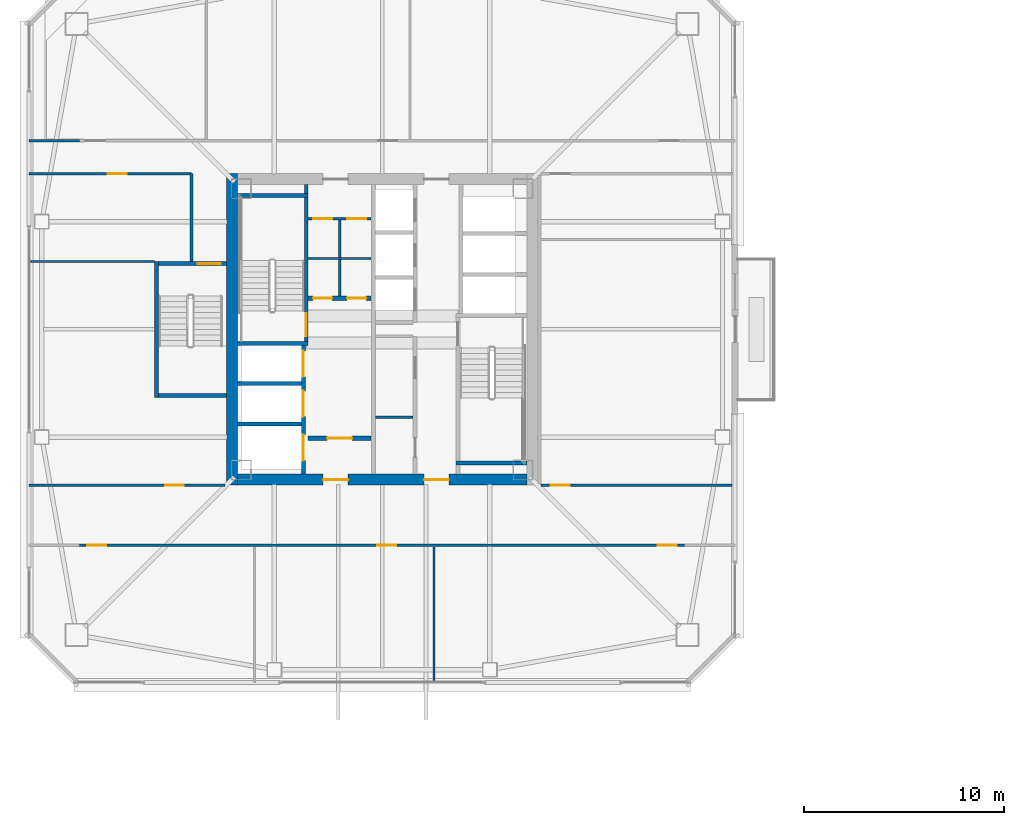
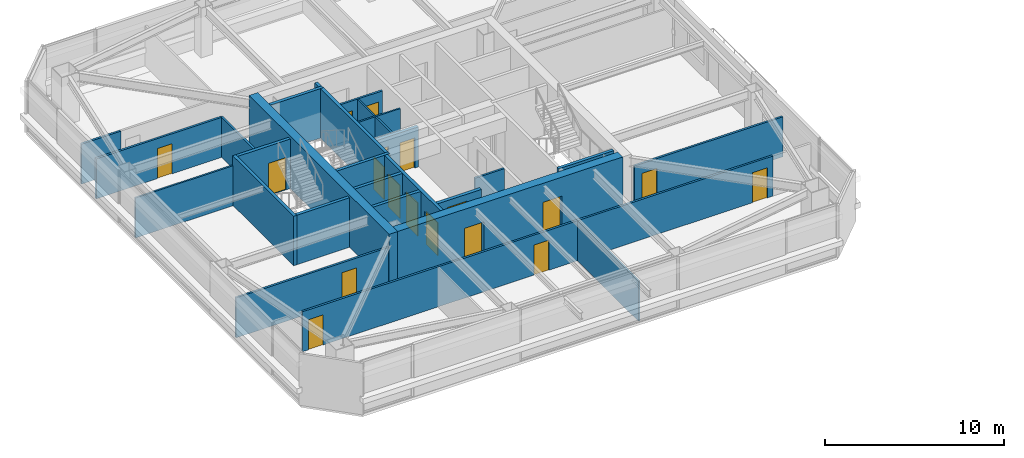
# One storey, part 31 of 41: 26 walls, 18 doors, 18 openings.
"""IFC4 building model written with IfcOpenShell, lengths in metres."""

from ifc_helpers import new_model, si_unit, direction, frame, frame_2d, origin, place, context, subcontext, project, spatial, rectangle, extrude, material, layer, layer_set, type_object, element, fill, save


model = new_model("IFC4")

# Units and contexts
model_context = context("Model", 3, precision=1e-05, world=origin(), true_north=direction((0.0, 1.0)))
body_context = subcontext(model_context, "Body", "Model", "MODEL_VIEW")
ifc_project = project(units=[si_unit("LENGTHUNIT", "METRE"), si_unit("AREAUNIT", "SQUARE_METRE"), si_unit("VOLUMEUNIT", "CUBIC_METRE"), si_unit("PLANEANGLEUNIT", "RADIAN"), si_unit("MASSUNIT", "GRAM", prefix="KILO")], contexts=[model_context])

# Site, building, storey
site_placement = place(None, origin())
site = spatial("IfcSite", under=ifc_project, at=site_placement, CompositionType="ELEMENT")
building_placement = place(site_placement, origin())
building = spatial("IfcBuilding", under=site, at=building_placement, Name="Tashvorn Skyway Center", CompositionType="ELEMENT")
storey_placement = place(building_placement, frame((0.0, 0.0, 174.75)))
storey = spatial("IfcBuildingStorey", under=building, at=storey_placement, Name="L47", CompositionType="ELEMENT", Elevation=174.75)

# Wall
ifc_material_1 = material(Name="Concrete C60/75", Category="concrete")
ifc_layer_1 = layer(ifc_material_1, 0.550048828125)
ifc_layer_set_1 = layer_set([ifc_layer_1], Name="Concrete C60/75")
wall_type_1 = type_object("IfcWallType", Name="WALL-CORE-550", PredefinedType="SHEAR", material=ifc_layer_set_1)
wall_1_placement = place(storey_placement, frame((34.47509765625, 24.199951171875, 0.0), z_axis=(0.0, 0.0, 1.0), x_axis=(0.0, 1.0, 0.0)))
element("IfcWall", 1, at=wall_1_placement, inside=storey, type_object=wall_type_1, Name="Tower 1 L47 West Core Shear Wall", PredefinedType="SHEAR", context=body_context, shape_type="SweptSolid", body=[
    extrude(rectangle(XDim=15.60009765625, YDim=0.550048828125, at=frame_2d((7.800048828125, 0.0))), origin(), (0.0, 0.0, 1.0), 3.550048828125),
])

# Wall, openings, doors
wall_2_placement = place(storey_placement, frame((49.25, 24.47509765625, 0.0), z_axis=(0.0, 0.0, 1.0), x_axis=(-1.0, 0.0, 0.0)))
wall_2 = element("IfcWall", 2, at=wall_2_placement, inside=storey, type_object=wall_type_1, Name="Tower 1 L47 South Core Shear Wall", PredefinedType="SHEAR", context=body_context, shape_type="SweptSolid", body=[
    extrude(rectangle(XDim=14.5, YDim=0.550048828125, at=frame_2d((7.25, 0.0))), origin(), (0.0, 0.0, 1.0), 3.550048828125),
])
opening_1_placement = place(wall_2_placement, frame((8.949951171875, 0.0, 0.0)))
opening_1 = element("IfcOpeningElement", 3, at=opening_1_placement, cuts=wall_2, Name="Opening D-FFL-1250", PredefinedType="OPENING", context=body_context, shape_type="SweptSolid", body=[
    extrude(rectangle(XDim=1.25, YDim=2.25, at=frame_2d((0.625, 1.125))), frame((0.0, 0.284912109375, 0.0), z_axis=(0.0, -1.0, 0.0), x_axis=(1.0, 0.0, 0.0)), (0.0, 0.0, 1.0), 0.570068359375),
])
opening_2_placement = place(wall_2_placement, frame((3.89990234375, 0.0, 0.0)))
opening_2 = element("IfcOpeningElement", 4, at=opening_2_placement, cuts=wall_2, Name="Opening D-FFL-1250", PredefinedType="OPENING", context=body_context, shape_type="SweptSolid", body=[
    extrude(rectangle(XDim=1.25, YDim=2.25, at=frame_2d((0.625, 1.125))), frame((0.0, 0.284912109375, 0.0), z_axis=(0.0, -1.0, 0.0), x_axis=(1.0, 0.0, 0.0)), (0.0, 0.0, 1.0), 0.570068359375),
])
ifc_material_2 = material(Name="Hollow galvanized steel fire door assembly", Category="steel")
door_type_1 = type_object("IfcDoorType", Name="DOOR-FFL-1250", OperationType="NOTDEFINED", PredefinedType="DOOR", material=ifc_material_2)
door_1_placement = place(opening_1_placement, origin())
door_1 = element("IfcDoor", 5, at=door_1_placement, inside=storey, type_object=door_type_1, Name="Tower 1 L47 Core South Firefighting Exit Door", OperationType="SINGLE_SWING_LEFT", OverallHeight=2.25, OverallWidth=1.25, PredefinedType="DOOR", context=body_context, shape_type="SweptSolid", body=[
    extrude(rectangle(XDim=1.25, YDim=2.25, at=frame_2d((0.625, 1.125))), frame((0.0, 0.02490234375, 0.0), z_axis=(0.0, -1.0, 0.0), x_axis=(1.0, 0.0, 0.0)), (0.0, 0.0, 1.0), 0.050048828125),
])
fill(opening_1, door_1)
door_2_placement = place(opening_2_placement, origin())
door_2 = element("IfcDoor", 6, at=door_2_placement, inside=storey, type_object=door_type_1, Name="Tower 1 L47 Core South Lift Lobby Door", OperationType="SINGLE_SWING_RIGHT", OverallHeight=2.25, OverallWidth=1.25, PredefinedType="DOOR", context=body_context, shape_type="SweptSolid", body=[
    extrude(rectangle(XDim=1.25, YDim=2.25, at=frame_2d((0.625, 1.125))), frame((0.0, 0.02490234375, 0.0), z_axis=(0.0, -1.0, 0.0), x_axis=(1.0, 0.0, 0.0)), (0.0, 0.0, 1.0), 0.050048828125),
])
fill(opening_2, door_2)

ifc_material_3 = material(Name="Concrete C40/50", Category="concrete")
ifc_layer_2 = layer(ifc_material_3, 0.219970703125)
ifc_layer_set_2 = layer_set([ifc_layer_2], Name="Concrete C40/50")
wall_type_2 = type_object("IfcWallType", Name="WALL-FFL-220", PredefinedType="SOLIDWALL", material=ifc_layer_set_2)
wall_3_placement = place(storey_placement, frame((38.300048828125, 33.56005859375, 0.0), z_axis=(0.0, 0.0, 1.0), x_axis=(1.0, 0.0, 0.0)))
wall_3 = element("IfcWall", 7, at=wall_3_placement, inside=storey, type_object=wall_type_2, Name="Tower 1 L47 Firefighting Lobby North Wall", PredefinedType="SOLIDWALL", context=body_context, shape_type="SweptSolid", body=[
    extrude(rectangle(XDim=3.14990234375, YDim=0.219970703125, at=frame_2d((1.574951171875, 0.0))), origin(), (0.0, 0.0, 1.0), 2.722900390625),
])
opening_3_placement = place(wall_3_placement, frame((0.25, 0.0, 0.0)))
opening_3 = element("IfcOpeningElement", 8, at=opening_3_placement, cuts=wall_3, Name="Opening D-RT-950", PredefinedType="OPENING", context=body_context, shape_type="SweptSolid", body=[
    extrude(rectangle(XDim=0.949951171875, YDim=2.050048828125, at=frame_2d((0.47509765625, 1.02490234375))), frame((0.0, 0.119873046875, 0.0), z_axis=(0.0, -1.0, 0.0), x_axis=(1.0, 0.0, 0.0)), (0.0, 0.0, 1.0), 0.239990234375),
])
opening_4_placement = place(wall_3_placement, frame((1.949951171875, 0.0, 0.0)))
opening_4 = element("IfcOpeningElement", 9, at=opening_4_placement, cuts=wall_3, Name="Opening D-RT-950", PredefinedType="OPENING", context=body_context, shape_type="SweptSolid", body=[
    extrude(rectangle(XDim=0.949951171875, YDim=2.050048828125, at=frame_2d((0.47509765625, 1.02490234375))), frame((0.0, 0.119873046875, 0.0), z_axis=(0.0, -1.0, 0.0), x_axis=(1.0, 0.0, 0.0)), (0.0, 0.0, 1.0), 0.239990234375),
])
door_type_2 = type_object("IfcDoorType", Name="DOOR-RATED-950", OperationType="NOTDEFINED", PredefinedType="DOOR", material=ifc_material_2)
door_3_placement = place(opening_3_placement, origin())
door_3 = element("IfcDoor", 10, at=door_3_placement, inside=storey, type_object=door_type_2, Name="Tower 1 L47 Core Mail Room Door", OperationType="SINGLE_SWING_LEFT", OverallHeight=2.050048828125, OverallWidth=0.949951171875, PredefinedType="DOOR", context=body_context, shape_type="SweptSolid", body=[
    extrude(rectangle(XDim=0.949951171875, YDim=2.050048828125, at=frame_2d((0.47509765625, 1.02490234375))), frame((0.0, 0.02490234375, 0.0), z_axis=(0.0, -1.0, 0.0), x_axis=(1.0, 0.0, 0.0)), (0.0, 0.0, 1.0), 0.050048828125),
])
fill(opening_3, door_3)
door_4_placement = place(opening_4_placement, origin())
door_4 = element("IfcDoor", 11, at=door_4_placement, inside=storey, type_object=door_type_2, Name="Tower 1 L47 Core Supply Closet Door", OperationType="SINGLE_SWING_RIGHT", OverallHeight=2.050048828125, OverallWidth=0.949951171875, PredefinedType="DOOR", context=body_context, shape_type="SweptSolid", body=[
    extrude(rectangle(XDim=0.949951171875, YDim=2.050048828125, at=frame_2d((0.47509765625, 1.02490234375))), frame((0.0, 0.02490234375, 0.0), z_axis=(0.0, -1.0, 0.0), x_axis=(1.0, 0.0, 0.0)), (0.0, 0.0, 1.0), 0.050048828125),
])
fill(opening_4, door_4)

# Wall, opening, door
wall_4_placement = place(storey_placement, frame((38.300048828125, 26.5400390625, 0.0), z_axis=(0.0, 0.0, 1.0), x_axis=(1.0, 0.0, 0.0)))
wall_4 = element("IfcWall", 12, at=wall_4_placement, inside=storey, type_object=wall_type_2, Name="Tower 1 L47 Firefighting Lobby South Wall", PredefinedType="SOLIDWALL", context=body_context, shape_type="SweptSolid", body=[
    extrude(rectangle(XDim=3.14990234375, YDim=0.219970703125, at=frame_2d((1.574951171875, 0.0))), origin(), (0.0, 0.0, 1.0), 2.722900390625),
])
opening_5_placement = place(wall_4_placement, frame((0.949951171875, 0.0, 0.0)))
opening_5 = element("IfcOpeningElement", 13, at=opening_5_placement, cuts=wall_4, Name="Opening D-FFL-1250", PredefinedType="OPENING", context=body_context, shape_type="SweptSolid", body=[
    extrude(rectangle(XDim=1.25, YDim=2.25, at=frame_2d((0.625, 1.125))), frame((0.0, 0.119873046875, 0.0), z_axis=(0.0, -1.0, 0.0), x_axis=(1.0, 0.0, 0.0)), (0.0, 0.0, 1.0), 0.239990234375),
])
door_5_placement = place(opening_5_placement, origin())
door_5 = element("IfcDoor", 14, at=door_5_placement, inside=storey, type_object=door_type_1, Name="Tower 1 L47 Firefighting Lobby Egress Door", OperationType="SINGLE_SWING_LEFT", OverallHeight=2.25, OverallWidth=1.25, PredefinedType="DOOR", context=body_context, shape_type="SweptSolid", body=[
    extrude(rectangle(XDim=1.25, YDim=2.25, at=frame_2d((0.625, 1.125))), frame((0.0, 0.02490234375, 0.0), z_axis=(0.0, -1.0, 0.0), x_axis=(1.0, 0.0, 0.0)), (0.0, 0.0, 1.0), 0.050048828125),
])
fill(opening_5, door_5)

# Walls
ifc_material_4 = material(Name="Gypsum board on cold-formed steel stud framing", Category="steel")
ifc_layer_3 = layer(ifc_material_4, 0.110107421875)
ifc_layer_set_3 = layer_set([ifc_layer_3], Name="Gypsum board on cold-formed steel stud framing")
wall_type_3 = type_object("IfcWallType", Name="WALL-PART-110", PredefinedType="PARTITIONING", material=ifc_layer_set_3)
wall_5_placement = place(storey_placement, frame((44.60009765625, 14.320068359375, 0.0), z_axis=(0.0, 0.0, 1.0), x_axis=(0.0, 1.0, 0.0)))
element("IfcWall", 15, at=wall_5_placement, inside=storey, type_object=wall_type_3, Name="Tower 1 L47 South Suite Partition 2", PredefinedType="PARTITIONING", context=body_context, shape_type="SweptSolid", body=[
    extrude(rectangle(XDim=6.780029296875, YDim=0.110107421875, at=frame_2d((3.39013671875, 0.0))), origin(), (0.0, 0.0, 1.0), 2.722900390625),
])
wall_6_placement = place(storey_placement, frame((30.60009765625, 35.39990234375, 0.0), z_axis=(0.0, 0.0, 1.0), x_axis=(-1.0, 0.0, 0.0)))
element("IfcWall", 16, at=wall_6_placement, inside=storey, type_object=wall_type_3, Name="Tower 1 L47 West Suite Partition 1", PredefinedType="PARTITIONING", context=body_context, shape_type="SweptSolid", body=[
    extrude(rectangle(XDim=6.280029296875, YDim=0.110107421875, at=frame_2d((3.14013671875, 0.0))), origin(), (0.0, 0.0, 1.0), 2.722900390625),
])
ifc_layer_4 = layer(ifc_material_4, 0.135009765625)
ifc_layer_set_4 = layer_set([ifc_layer_4], Name="Gypsum board on cold-formed steel stud framing")
wall_type_4 = type_object("IfcWallType", Name="WALL-PART-135", PredefinedType="PARTITIONING", material=ifc_layer_set_4)
wall_7_placement = place(storey_placement, frame((32.449951171875, 35.39990234375, 0.0), z_axis=(0.0, 0.0, 1.0), x_axis=(0.0, 1.0, 0.0)))
element("IfcWall", 17, at=wall_7_placement, inside=storey, type_object=wall_type_4, Name="Tower 1 L47 Stair 3 Access Corridor Wall", PredefinedType="PARTITIONING", context=body_context, shape_type="SweptSolid", body=[
    extrude(rectangle(XDim=4.400146484375, YDim=0.135009765625, at=frame_2d((2.2001953125, 0.0))), origin(), (0.0, 0.0, 1.0), 2.722900390625),
])
wall_8_placement = place(storey_placement, frame((24.320068359375, 41.449951171875, 0.0), z_axis=(0.0, 0.0, 1.0), x_axis=(1.0, 0.0, 0.0)))
element("IfcWall", 18, at=wall_8_placement, inside=storey, type_object=wall_type_4, Name="Tower 1 L47 North-West Suite South Wall", PredefinedType="PARTITIONING", context=body_context, shape_type="SweptSolid", body=[
    extrude(rectangle(XDim=2.530029296875, YDim=0.135009765625, at=frame_2d((1.26513671875, 0.0))), origin(), (0.0, 0.0, 1.0), 2.722900390625),
])

# Wall, openings, doors
wall_9_placement = place(storey_placement, frame((57.14990234375, 21.179931640625, 0.0), z_axis=(0.0, 0.0, 1.0), x_axis=(-1.0, 0.0, 0.0)))
wall_9 = element("IfcWall", 19, at=wall_9_placement, inside=storey, type_object=wall_type_4, Name="Tower 1 L47 South Suite Wall", PredefinedType="PARTITIONING", context=body_context, shape_type="SweptSolid", body=[
    extrude(rectangle(XDim=30.2998046875, YDim=0.135009765625, at=frame_2d((15.14990234375, 0.0))), origin(), (0.0, 0.0, 1.0), 2.722900390625),
])
opening_6_placement = place(wall_9_placement, frame((28.969970703125, 0.0, 0.0)))
opening_6 = element("IfcOpeningElement", 20, at=opening_6_placement, cuts=wall_9, Name="Opening D-INT-950", PredefinedType="OPENING", context=body_context, shape_type="SweptSolid", body=[
    extrude(rectangle(XDim=0.949951171875, YDim=2.050048828125, at=frame_2d((0.47509765625, 1.02490234375))), frame((0.0, 0.077392578125, 0.0), z_axis=(0.0, -1.0, 0.0), x_axis=(1.0, 0.0, 0.0)), (0.0, 0.0, 1.0), 0.155029296875),
])
opening_7_placement = place(wall_9_placement, frame((14.438232421875, 0.0, 0.0)))
opening_7 = element("IfcOpeningElement", 21, at=opening_7_placement, cuts=wall_9, Name="Opening D-INT-950", PredefinedType="OPENING", context=body_context, shape_type="SweptSolid", body=[
    extrude(rectangle(XDim=0.949951171875, YDim=2.050048828125, at=frame_2d((0.47509765625, 1.02490234375))), frame((0.0, 0.077392578125, 0.0), z_axis=(0.0, -1.0, 0.0), x_axis=(1.0, 0.0, 0.0)), (0.0, 0.0, 1.0), 0.155029296875),
])
opening_8_placement = place(wall_9_placement, frame((0.3798828125, 0.0, 0.0)))
opening_8 = element("IfcOpeningElement", 22, at=opening_8_placement, cuts=wall_9, Name="Opening D-INT-950", PredefinedType="OPENING", context=body_context, shape_type="SweptSolid", body=[
    extrude(rectangle(XDim=0.949951171875, YDim=2.050048828125, at=frame_2d((0.47509765625, 1.02490234375))), frame((0.0, 0.077392578125, 0.0), z_axis=(0.0, -1.0, 0.0), x_axis=(1.0, 0.0, 0.0)), (0.0, 0.0, 1.0), 0.155029296875),
])
ifc_material_5 = material(Name="Solid-core architectural oak veneer door")
door_type_3 = type_object("IfcDoorType", Name="DOOR-INT-950", OperationType="NOTDEFINED", PredefinedType="DOOR", material=ifc_material_5)
door_6_placement = place(opening_6_placement, origin())
door_6 = element("IfcDoor", 23, at=door_6_placement, inside=storey, type_object=door_type_3, Name="Tower 1 L47 Executive Suite Door", OperationType="SINGLE_SWING_LEFT", OverallHeight=2.050048828125, OverallWidth=0.949951171875, PredefinedType="DOOR", context=body_context, shape_type="SweptSolid", body=[
    extrude(rectangle(XDim=0.949951171875, YDim=2.050048828125, at=frame_2d((0.47509765625, 1.02490234375))), frame((0.0, 0.02490234375, 0.0), z_axis=(0.0, -1.0, 0.0), x_axis=(1.0, 0.0, 0.0)), (0.0, 0.0, 1.0), 0.050048828125),
])
fill(opening_6, door_6)
door_7_placement = place(opening_7_placement, origin())
door_7 = element("IfcDoor", 24, at=door_7_placement, inside=storey, type_object=door_type_3, Name="Tower 1 L47 Corporate Office Door", OperationType="SINGLE_SWING_RIGHT", OverallHeight=2.050048828125, OverallWidth=0.949951171875, PredefinedType="DOOR", context=body_context, shape_type="SweptSolid", body=[
    extrude(rectangle(XDim=0.949951171875, YDim=2.050048828125, at=frame_2d((0.47509765625, 1.02490234375))), frame((0.0, 0.02490234375, 0.0), z_axis=(0.0, -1.0, 0.0), x_axis=(1.0, 0.0, 0.0)), (0.0, 0.0, 1.0), 0.050048828125),
])
fill(opening_7, door_7)
door_8_placement = place(opening_8_placement, origin())
door_8 = element("IfcDoor", 25, at=door_8_placement, inside=storey, type_object=door_type_3, Name="Tower 1 L47 Corporate Office Door", OperationType="SINGLE_SWING_LEFT", OverallHeight=2.050048828125, OverallWidth=0.949951171875, PredefinedType="DOOR", context=body_context, shape_type="SweptSolid", body=[
    extrude(rectangle(XDim=0.949951171875, YDim=2.050048828125, at=frame_2d((0.47509765625, 1.02490234375))), frame((0.0, 0.02490234375, 0.0), z_axis=(0.0, -1.0, 0.0), x_axis=(1.0, 0.0, 0.0)), (0.0, 0.0, 1.0), 0.050048828125),
])
fill(opening_8, door_8)

# Wall, opening, door
wall_10_placement = place(storey_placement, frame((49.9599609375, 24.199951171875, 0.0), z_axis=(0.0, 0.0, 1.0), x_axis=(1.0, 0.0, 0.0)))
wall_10 = element("IfcWall", 26, at=wall_10_placement, inside=storey, type_object=wall_type_4, Name="Tower 1 L47 East Suite South Wall", PredefinedType="PARTITIONING", context=body_context, shape_type="SweptSolid", body=[
    extrude(rectangle(XDim=9.570068359375, YDim=0.135009765625, at=frame_2d((4.78515625, 0.0))), origin(), (0.0, 0.0, 1.0), 2.722900390625),
])
opening_9_placement = place(wall_10_placement, frame((0.5, 0.0, 0.0)))
opening_9 = element("IfcOpeningElement", 27, at=opening_9_placement, cuts=wall_10, Name="Opening D-INT-950", PredefinedType="OPENING", context=body_context, shape_type="SweptSolid", body=[
    extrude(rectangle(XDim=0.949951171875, YDim=2.050048828125, at=frame_2d((0.47509765625, 1.02490234375))), frame((0.0, 0.077392578125, 0.0), z_axis=(0.0, -1.0, 0.0), x_axis=(1.0, 0.0, 0.0)), (0.0, 0.0, 1.0), 0.155029296875),
])
door_9_placement = place(opening_9_placement, origin())
door_9 = element("IfcDoor", 28, at=door_9_placement, inside=storey, type_object=door_type_3, Name="Tower 1 L47 Public Restroom Door", OperationType="SINGLE_SWING_LEFT", OverallHeight=2.050048828125, OverallWidth=0.949951171875, PredefinedType="DOOR", context=body_context, shape_type="SweptSolid", body=[
    extrude(rectangle(XDim=0.949951171875, YDim=2.050048828125, at=frame_2d((0.47509765625, 1.02490234375))), frame((0.0, 0.02490234375, 0.0), z_axis=(0.0, -1.0, 0.0), x_axis=(1.0, 0.0, 0.0)), (0.0, 0.0, 1.0), 0.050048828125),
])
fill(opening_9, door_9)

wall_11_placement = place(storey_placement, frame((32.449951171875, 39.800048828125, 0.0), z_axis=(0.0, 0.0, 1.0), x_axis=(-1.0, 0.0, 0.0)))
wall_11 = element("IfcWall", 29, at=wall_11_placement, inside=storey, type_object=wall_type_4, Name="Tower 1 L47 West Suite North Wall", PredefinedType="PARTITIONING", context=body_context, shape_type="SweptSolid", body=[
    extrude(rectangle(XDim=8.1298828125, YDim=0.135009765625, at=frame_2d((4.06494140625, 0.0))), origin(), (0.0, 0.0, 1.0), 2.722900390625),
])
opening_10_placement = place(wall_11_placement, frame((3.239990234375, 0.0, 0.0)))
opening_10 = element("IfcOpeningElement", 30, at=opening_10_placement, cuts=wall_11, Name="Opening D-INT-950", PredefinedType="OPENING", context=body_context, shape_type="SweptSolid", body=[
    extrude(rectangle(XDim=0.949951171875, YDim=2.050048828125, at=frame_2d((0.47509765625, 1.02490234375))), frame((0.0, 0.077392578125, 0.0), z_axis=(0.0, -1.0, 0.0), x_axis=(1.0, 0.0, 0.0)), (0.0, 0.0, 1.0), 0.155029296875),
])
door_10_placement = place(opening_10_placement, origin())
door_10 = element("IfcDoor", 31, at=door_10_placement, inside=storey, type_object=door_type_3, Name="Tower 1 L47 Security Control Room Door", OperationType="SINGLE_SWING_RIGHT", OverallHeight=2.050048828125, OverallWidth=0.949951171875, PredefinedType="DOOR", context=body_context, shape_type="SweptSolid", body=[
    extrude(rectangle(XDim=0.949951171875, YDim=2.050048828125, at=frame_2d((0.47509765625, 1.02490234375))), frame((0.0, 0.02490234375, 0.0), z_axis=(0.0, -1.0, 0.0), x_axis=(1.0, 0.0, 0.0)), (0.0, 0.0, 1.0), 0.050048828125),
])
fill(opening_10, door_10)

wall_12_placement = place(storey_placement, frame((24.320068359375, 24.199951171875, 0.0), z_axis=(0.0, 0.0, 1.0), x_axis=(1.0, 0.0, 0.0)))
wall_12 = element("IfcWall", 32, at=wall_12_placement, inside=storey, type_object=wall_type_4, Name="Tower 1 L47 West Suite South Wall", PredefinedType="PARTITIONING", context=body_context, shape_type="SweptSolid", body=[
    extrude(rectangle(XDim=9.800048828125, YDim=0.135009765625, at=frame_2d((4.89990234375, 0.0))), origin(), (0.0, 0.0, 1.0), 2.722900390625),
])
opening_11_placement = place(wall_12_placement, frame((6.804931640625, 0.0, 0.0)))
opening_11 = element("IfcOpeningElement", 33, at=opening_11_placement, cuts=wall_12, Name="Opening D-INT-950", PredefinedType="OPENING", context=body_context, shape_type="SweptSolid", body=[
    extrude(rectangle(XDim=0.949951171875, YDim=2.050048828125, at=frame_2d((0.47509765625, 1.02490234375))), frame((0.0, 0.077392578125, 0.0), z_axis=(0.0, -1.0, 0.0), x_axis=(1.0, 0.0, 0.0)), (0.0, 0.0, 1.0), 0.155029296875),
])
door_11_placement = place(opening_11_placement, origin())
door_11 = element("IfcDoor", 34, at=door_11_placement, inside=storey, type_object=door_type_3, Name="Tower 1 L47 Public Restroom Door", OperationType="SINGLE_SWING_LEFT", OverallHeight=2.050048828125, OverallWidth=0.949951171875, PredefinedType="DOOR", context=body_context, shape_type="SweptSolid", body=[
    extrude(rectangle(XDim=0.949951171875, YDim=2.050048828125, at=frame_2d((0.47509765625, 1.02490234375))), frame((0.0, 0.02490234375, 0.0), z_axis=(0.0, -1.0, 0.0), x_axis=(1.0, 0.0, 0.0)), (0.0, 0.0, 1.0), 0.050048828125),
])
fill(opening_11, door_11)

# Walls
ifc_layer_5 = layer(ifc_material_4, 0.110107421875)
ifc_layer_set_5 = layer_set([ifc_layer_5], Name="Gypsum board on cold-formed steel stud framing")
wall_type_5 = type_object("IfcWallType", Name="WALL-RATED-110", PredefinedType="PARTITIONING", material=ifc_layer_set_5)
wall_13_placement = place(storey_placement, frame((39.8798828125, 33.679931640625, 0.0), z_axis=(0.0, 0.0, 1.0), x_axis=(0.0, 1.0, 0.0)))
element("IfcWall", 35, at=wall_13_placement, inside=storey, type_object=wall_type_5, Name="Tower 1 L47 Core Cross Vertical", PredefinedType="PARTITIONING", context=body_context, shape_type="SweptSolid", body=[
    extrude(rectangle(XDim=3.800048828125, YDim=0.110107421875, at=frame_2d((1.89990234375, 0.0))), origin(), (0.0, 0.0, 1.0), 2.722900390625),
])
wall_14_placement = place(storey_placement, frame((38.300048828125, 35.550048828125, 0.0), z_axis=(0.0, 0.0, 1.0), x_axis=(1.0, 0.0, 0.0)))
element("IfcWall", 36, at=wall_14_placement, inside=storey, type_object=wall_type_5, Name="Tower 1 L47 Core Cross Horizontal", PredefinedType="PARTITIONING", context=body_context, shape_type="SweptSolid", body=[
    extrude(rectangle(XDim=3.14990234375, YDim=0.110107421875, at=frame_2d((1.574951171875, 0.0))), origin(), (0.0, 0.0, 1.0), 2.722900390625),
])

# Wall, openings, doors
ifc_layer_6 = layer(ifc_material_4, 0.135009765625)
ifc_layer_set_6 = layer_set([ifc_layer_6], Name="Gypsum board on cold-formed steel stud framing")
wall_type_6 = type_object("IfcWallType", Name="WALL-RATED-135", PredefinedType="PARTITIONING", material=ifc_layer_set_6)
wall_15_placement = place(storey_placement, frame((38.300048828125, 37.550048828125, 0.0), z_axis=(0.0, 0.0, 1.0), x_axis=(1.0, 0.0, 0.0)))
wall_15 = element("IfcWall", 37, at=wall_15_placement, inside=storey, type_object=wall_type_6, Name="Tower 1 L47 Core Service Lobby Wall", PredefinedType="PARTITIONING", context=body_context, shape_type="SweptSolid", body=[
    extrude(rectangle(XDim=3.14990234375, YDim=0.135009765625, at=frame_2d((1.574951171875, 0.0))), origin(), (0.0, 0.0, 1.0), 2.722900390625),
])
opening_12_placement = place(wall_15_placement, frame((0.25, 0.0, 0.0)))
opening_12 = element("IfcOpeningElement", 38, at=opening_12_placement, cuts=wall_15, Name="Opening D-RT-950", PredefinedType="OPENING", context=body_context, shape_type="SweptSolid", body=[
    extrude(rectangle(XDim=0.949951171875, YDim=2.050048828125, at=frame_2d((0.47509765625, 1.02490234375))), frame((0.0, 0.077392578125, 0.0), z_axis=(0.0, -1.0, 0.0), x_axis=(1.0, 0.0, 0.0)), (0.0, 0.0, 1.0), 0.155029296875),
])
opening_13_placement = place(wall_15_placement, frame((1.949951171875, 0.0, 0.0)))
opening_13 = element("IfcOpeningElement", 39, at=opening_13_placement, cuts=wall_15, Name="Opening D-RT-950", PredefinedType="OPENING", context=body_context, shape_type="SweptSolid", body=[
    extrude(rectangle(XDim=0.949951171875, YDim=2.050048828125, at=frame_2d((0.47509765625, 1.02490234375))), frame((0.0, 0.077392578125, 0.0), z_axis=(0.0, -1.0, 0.0), x_axis=(1.0, 0.0, 0.0)), (0.0, 0.0, 1.0), 0.155029296875),
])
door_12_placement = place(opening_12_placement, origin())
door_12 = element("IfcDoor", 40, at=door_12_placement, inside=storey, type_object=door_type_2, Name="Tower 1 L47 Core Cleaner Store Door", OperationType="SINGLE_SWING_LEFT", OverallHeight=2.050048828125, OverallWidth=0.949951171875, PredefinedType="DOOR", context=body_context, shape_type="SweptSolid", body=[
    extrude(rectangle(XDim=0.949951171875, YDim=2.050048828125, at=frame_2d((0.47509765625, 1.02490234375))), frame((0.0, 0.02490234375, 0.0), z_axis=(0.0, -1.0, 0.0), x_axis=(1.0, 0.0, 0.0)), (0.0, 0.0, 1.0), 0.050048828125),
])
fill(opening_12, door_12)
door_13_placement = place(opening_13_placement, origin())
door_13 = element("IfcDoor", 41, at=door_13_placement, inside=storey, type_object=door_type_2, Name="Tower 1 L47 Core Accessible WC Door", OperationType="SINGLE_SWING_RIGHT", OverallHeight=2.050048828125, OverallWidth=0.949951171875, PredefinedType="DOOR", context=body_context, shape_type="SweptSolid", body=[
    extrude(rectangle(XDim=0.949951171875, YDim=2.050048828125, at=frame_2d((0.47509765625, 1.02490234375))), frame((0.0, 0.02490234375, 0.0), z_axis=(0.0, -1.0, 0.0), x_axis=(1.0, 0.0, 0.0)), (0.0, 0.0, 1.0), 0.050048828125),
])
fill(opening_13, door_13)

# Walls
wall_16_placement = place(storey_placement, frame((41.669921875, 27.60009765625, 0.0), z_axis=(0.0, 0.0, 1.0), x_axis=(1.0, 0.0, 0.0)))
element("IfcWall", 42, at=wall_16_placement, inside=storey, type_object=wall_type_6, Name="Tower 1 L47 Freed Core Partition", PredefinedType="PARTITIONING", context=body_context, shape_type="SweptSolid", body=[
    extrude(rectangle(XDim=1.880126953125, YDim=0.135009765625, at=frame_2d((0.93994140625, 0.0))), origin(), (0.0, 0.0, 1.0), 2.722900390625),
])
ifc_layer_7 = layer(ifc_material_3, 0.199951171875)
ifc_layer_set_7 = layer_set([ifc_layer_7], Name="Concrete C40/50")
wall_type_7 = type_object("IfcWallType", Name="WALL-SHAFT-200", PredefinedType="SOLIDWALL", material=ifc_layer_set_7)
for number, where, z_axis, x_axis, name in (
    (43, (34.75, 27.25, 0.0), (0.0, 0.0, 1.0), (1.0, 0.0, 0.0), "Tower 1 L47 FSAE Shaft Divider"),
    (44, (34.75, 29.280029296875, 0.0), (0.0, 0.0, 1.0), (1.0, 0.0, 0.0), "Tower 1 L47 FSAE Shaft Divider"),
):
    element("IfcWall", number, at=place(storey_placement, frame(where, z_axis=z_axis, x_axis=x_axis)), inside=storey, type_object=wall_type_7, Name=name, PredefinedType="SOLIDWALL", context=body_context, shape_type="SweptSolid", body=[
        extrude(rectangle(XDim=3.199951171875, YDim=0.199951171875, at=frame_2d((1.60009765625, 0.0))), origin(), (0.0, 0.0, 1.0), 3.3701171875),
    ])

# Wall, opening, door
ifc_layer_8 = layer(ifc_material_3, 0.199951171875)
ifc_layer_set_8 = layer_set([ifc_layer_8], Name="Concrete C40/50")
wall_type_8 = type_object("IfcWallType", Name="WALL-STSHF-200", PredefinedType="SHEAR", material=ifc_layer_set_8)
wall_17_placement = place(storey_placement, frame((38.199951171875, 31.199951171875, 0.0), z_axis=(0.0, 0.0, 1.0), x_axis=(0.0, 1.0, 0.0)))
wall_17 = element("IfcWall", 45, at=wall_17_placement, inside=storey, type_object=wall_type_8, Name="Tower 1 L47 Stair 1 Enclosure Wall", PredefinedType="SHEAR", context=body_context, shape_type="SweptSolid", body=[
    extrude(rectangle(XDim=8.050048828125, YDim=0.199951171875, at=frame_2d((4.02490234375, 0.0))), origin(), (0.0, 0.0, 1.0), 3.3701171875),
])
opening_14_placement = place(wall_17_placement, frame((0.449951171875, 0.0, 0.0)))
opening_14 = element("IfcOpeningElement", 46, at=opening_14_placement, cuts=wall_17, Name="Opening D-ST-1150", PredefinedType="OPENING", context=body_context, shape_type="SweptSolid", body=[
    extrude(rectangle(XDim=1.14990234375, YDim=2.199951171875, at=frame_2d((0.574951171875, 1.10009765625))), frame((0.0, 0.10986328125, 0.0), z_axis=(0.0, -1.0, 0.0), x_axis=(1.0, 0.0, 0.0)), (0.0, 0.0, 1.0), 0.219970703125),
])
door_type_4 = type_object("IfcDoorType", Name="DOOR-STAIR-1150", OperationType="NOTDEFINED", PredefinedType="DOOR", material=ifc_material_2)
door_14_placement = place(opening_14_placement, origin())
door_14 = element("IfcDoor", 47, at=door_14_placement, inside=storey, type_object=door_type_4, Name="Tower 1 L47 Exit Stair 1 Door", OperationType="SINGLE_SWING_RIGHT", OverallHeight=2.199951171875, OverallWidth=1.14990234375, PredefinedType="DOOR", context=body_context, shape_type="SweptSolid", body=[
    extrude(rectangle(XDim=1.14990234375, YDim=2.199951171875, at=frame_2d((0.574951171875, 1.10009765625))), frame((0.0, 0.02490234375, 0.0), z_axis=(0.0, -1.0, 0.0), x_axis=(1.0, 0.0, 0.0)), (0.0, 0.0, 1.0), 0.050048828125),
])
fill(opening_14, door_14)

# Walls
for number, where, z_axis, x_axis, name in (
    (48, (34.75, 31.300048828125, 0.0), (0.0, 0.0, 1.0), (1.0, 0.0, 0.0), "Tower 1 L47 Stair 1 South Wall"),
    (49, (34.75, 38.699951171875, 0.0), (0.0, 0.0, 1.0), (1.0, 0.0, 0.0), "Tower 1 L47 Stair 1 North Wall"),
    (50, (45.699951171875, 25.300048828125, 0.0), (0.0, 0.0, 1.0), (1.0, 0.0, 0.0), "Tower 1 L47 Stair 2 South Wall"),
):
    element("IfcWall", number, at=place(storey_placement, frame(where, z_axis=z_axis, x_axis=x_axis)), inside=storey, type_object=wall_type_8, Name=name, PredefinedType="SHEAR", context=body_context, shape_type="SweptSolid", body=[
        extrude(rectangle(XDim=3.550048828125, YDim=0.199951171875, at=frame_2d((1.77490234375, 0.0))), origin(), (0.0, 0.0, 1.0), 3.3701171875),
    ])

# Wall, openings, doors
wall_18_placement = place(storey_placement, frame((38.050048828125, 24.75, 0.0), z_axis=(0.0, 0.0, 1.0), x_axis=(0.0, 1.0, 0.0)))
wall_18 = element("IfcWall", 51, at=wall_18_placement, inside=storey, type_object=wall_type_8, Name="Tower 1 L47 FSAE and Goods Shaft Front Wall", PredefinedType="SHEAR", context=body_context, shape_type="SweptSolid", body=[
    extrude(rectangle(XDim=6.449951171875, YDim=0.199951171875, at=frame_2d((3.22509765625, 0.0))), origin(), (0.0, 0.0, 1.0), 3.3701171875),
])
opening_15_placement = place(wall_18_placement, frame((4.875, 0.0, 0.0)))
opening_15 = element("IfcOpeningElement", 52, at=opening_15_placement, cuts=wall_18, Name="Opening LD-FF-T1-1-L47", PredefinedType="OPENING", context=body_context, shape_type="SweptSolid", body=[
    extrude(rectangle(XDim=1.300048828125, YDim=2.25, at=frame_2d((0.64990234375, 1.125))), frame((0.0, 0.10986328125, 0.0), z_axis=(0.0, -1.0, 0.0), x_axis=(1.0, 0.0, 0.0)), (0.0, 0.0, 1.0), 0.219970703125),
])
opening_16_placement = place(wall_18_placement, frame((2.875, 0.0, 0.0)))
opening_16 = element("IfcOpeningElement", 53, at=opening_16_placement, cuts=wall_18, Name="Opening LD-FF-T1-2-L47", PredefinedType="OPENING", context=body_context, shape_type="SweptSolid", body=[
    extrude(rectangle(XDim=1.300048828125, YDim=2.25, at=frame_2d((0.64990234375, 1.125))), frame((0.0, 0.10986328125, 0.0), z_axis=(0.0, -1.0, 0.0), x_axis=(1.0, 0.0, 0.0)), (0.0, 0.0, 1.0), 0.219970703125),
])
opening_17_placement = place(wall_18_placement, frame((0.675048828125, 0.0, 0.0)))
opening_17 = element("IfcOpeningElement", 54, at=opening_17_placement, cuts=wall_18, Name="Opening LD-GD-T1-1-L47", PredefinedType="OPENING", context=body_context, shape_type="SweptSolid", body=[
    extrude(rectangle(XDim=1.300048828125, YDim=2.25, at=frame_2d((0.64990234375, 1.125))), frame((0.0, 0.10986328125, 0.0), z_axis=(0.0, -1.0, 0.0), x_axis=(1.0, 0.0, 0.0)), (0.0, 0.0, 1.0), 0.219970703125),
])
ifc_material_6 = material(Name="Stainless steel heavy-duty landing door", Category="steel")
door_type_5 = type_object("IfcDoorType", Name="DOOR-LIFT-1300", OperationType="SLIDING_TO_LEFT", PredefinedType="DOOR", material=ifc_material_6)
door_15_placement = place(opening_15_placement, origin())
door_15 = element("IfcDoor", 55, at=door_15_placement, inside=storey, type_object=door_type_5, Name="Lift FF-T1-1 L47 Landing Door", OperationType="SLIDING_TO_LEFT", OverallHeight=2.25, OverallWidth=1.300048828125, PredefinedType="DOOR", context=body_context, shape_type="SweptSolid", body=[
    extrude(rectangle(XDim=1.300048828125, YDim=2.25, at=frame_2d((0.64990234375, 1.125))), frame((0.0, 0.02490234375, 0.0), z_axis=(0.0, -1.0, 0.0), x_axis=(1.0, 0.0, 0.0)), (0.0, 0.0, 1.0), 0.050048828125),
])
fill(opening_15, door_15)
door_16_placement = place(opening_16_placement, origin())
door_16 = element("IfcDoor", 56, at=door_16_placement, inside=storey, type_object=door_type_5, Name="Lift FF-T1-2 L47 Landing Door", OperationType="SLIDING_TO_LEFT", OverallHeight=2.25, OverallWidth=1.300048828125, PredefinedType="DOOR", context=body_context, shape_type="SweptSolid", body=[
    extrude(rectangle(XDim=1.300048828125, YDim=2.25, at=frame_2d((0.64990234375, 1.125))), frame((0.0, 0.02490234375, 0.0), z_axis=(0.0, -1.0, 0.0), x_axis=(1.0, 0.0, 0.0)), (0.0, 0.0, 1.0), 0.050048828125),
])
fill(opening_16, door_16)
door_17_placement = place(opening_17_placement, origin())
door_17 = element("IfcDoor", 57, at=door_17_placement, inside=storey, type_object=door_type_5, Name="Lift GD-T1-1 L47 Landing Door", OperationType="SLIDING_TO_LEFT", OverallHeight=2.25, OverallWidth=1.300048828125, PredefinedType="DOOR", context=body_context, shape_type="SweptSolid", body=[
    extrude(rectangle(XDim=1.300048828125, YDim=2.25, at=frame_2d((0.64990234375, 1.125))), frame((0.0, 0.02490234375, 0.0), z_axis=(0.0, -1.0, 0.0), x_axis=(1.0, 0.0, 0.0)), (0.0, 0.0, 1.0), 0.050048828125),
])
fill(opening_17, door_17)

# Wall
wall_19_placement = place(storey_placement, frame((30.699951171875, 28.60009765625, 0.0), z_axis=(0.0, 0.0, 1.0), x_axis=(0.0, 1.0, 0.0)))
element("IfcWall", 58, at=wall_19_placement, inside=storey, type_object=wall_type_8, Name="Tower 1 L47 Stair 3 Outer Wall", PredefinedType="SHEAR", context=body_context, shape_type="SweptSolid", body=[
    extrude(rectangle(XDim=6.7998046875, YDim=0.199951171875, at=frame_2d((3.39990234375, 0.0))), origin(), (0.0, 0.0, 1.0), 3.3701171875),
])

# Wall, opening, door
wall_20_placement = place(storey_placement, frame((34.199951171875, 35.300048828125, 0.0), z_axis=(0.0, 0.0, 1.0), x_axis=(-1.0, 0.0, 0.0)))
wall_20 = element("IfcWall", 59, at=wall_20_placement, inside=storey, type_object=wall_type_8, Name="Tower 1 L47 Stair 3 Enclosure Wall", PredefinedType="SHEAR", context=body_context, shape_type="SweptSolid", body=[
    extrude(rectangle(XDim=3.39990234375, YDim=0.199951171875, at=frame_2d((1.699951171875, 0.0))), origin(), (0.0, 0.0, 1.0), 3.3701171875),
])
opening_18_placement = place(wall_20_placement, frame((0.27490234375, 0.0, 0.0)))
opening_18 = element("IfcOpeningElement", 60, at=opening_18_placement, cuts=wall_20, Name="Opening D-ST-1150", PredefinedType="OPENING", context=body_context, shape_type="SweptSolid", body=[
    extrude(rectangle(XDim=1.14990234375, YDim=2.199951171875, at=frame_2d((0.574951171875, 1.10009765625))), frame((0.0, 0.10986328125, 0.0), z_axis=(0.0, -1.0, 0.0), x_axis=(1.0, 0.0, 0.0)), (0.0, 0.0, 1.0), 0.219970703125),
])
door_18_placement = place(opening_18_placement, origin())
door_18 = element("IfcDoor", 61, at=door_18_placement, inside=storey, type_object=door_type_4, Name="Tower 1 L47 Exit Stair 3 Door", OperationType="SINGLE_SWING_RIGHT", OverallHeight=2.199951171875, OverallWidth=1.14990234375, PredefinedType="DOOR", context=body_context, shape_type="SweptSolid", body=[
    extrude(rectangle(XDim=1.14990234375, YDim=2.199951171875, at=frame_2d((0.574951171875, 1.10009765625))), frame((0.0, 0.02490234375, 0.0), z_axis=(0.0, -1.0, 0.0), x_axis=(1.0, 0.0, 0.0)), (0.0, 0.0, 1.0), 0.050048828125),
])
fill(opening_18, door_18)

# Wall
wall_21_placement = place(storey_placement, frame((30.800048828125, 28.699951171875, 0.0), z_axis=(0.0, 0.0, 1.0), x_axis=(1.0, 0.0, 0.0)))
element("IfcWall", 62, at=wall_21_placement, inside=storey, type_object=wall_type_8, Name="Tower 1 L47 Stair 3 South Wall", PredefinedType="SHEAR", context=body_context, shape_type="SweptSolid", body=[
    extrude(rectangle(XDim=3.39990234375, YDim=0.199951171875, at=frame_2d((1.699951171875, 0.0))), origin(), (0.0, 0.0, 1.0), 3.3701171875),
])

save(model, "model.ifc")
